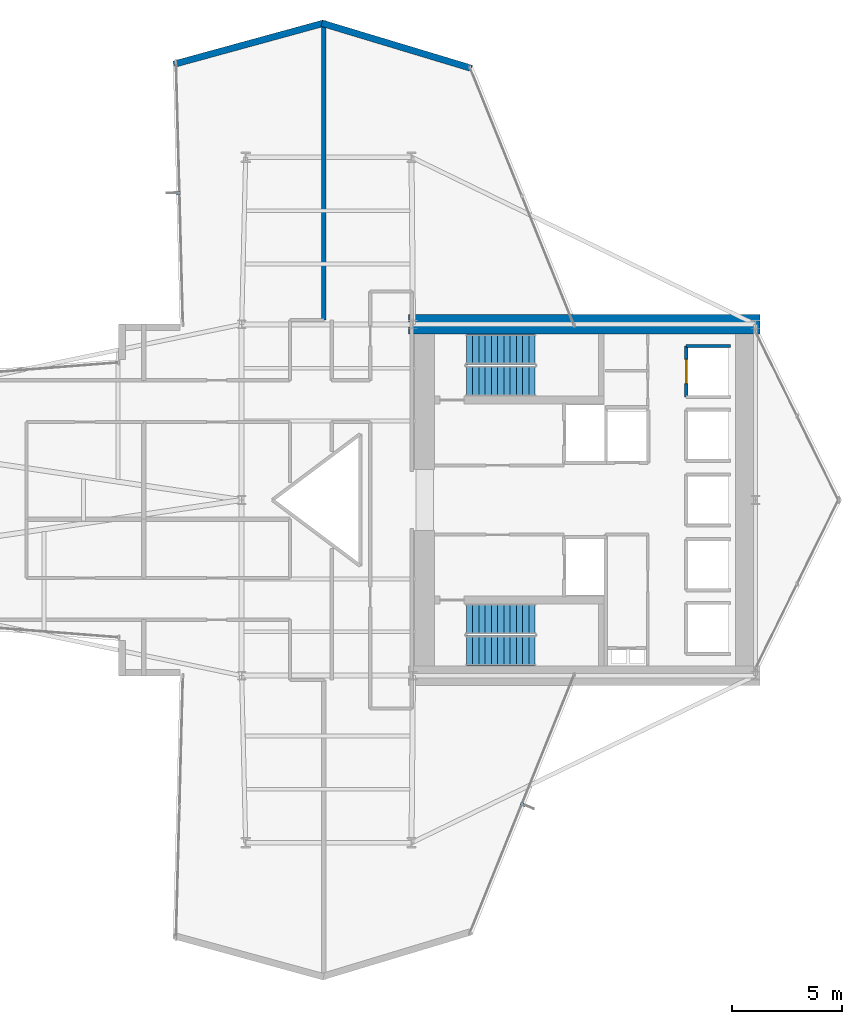
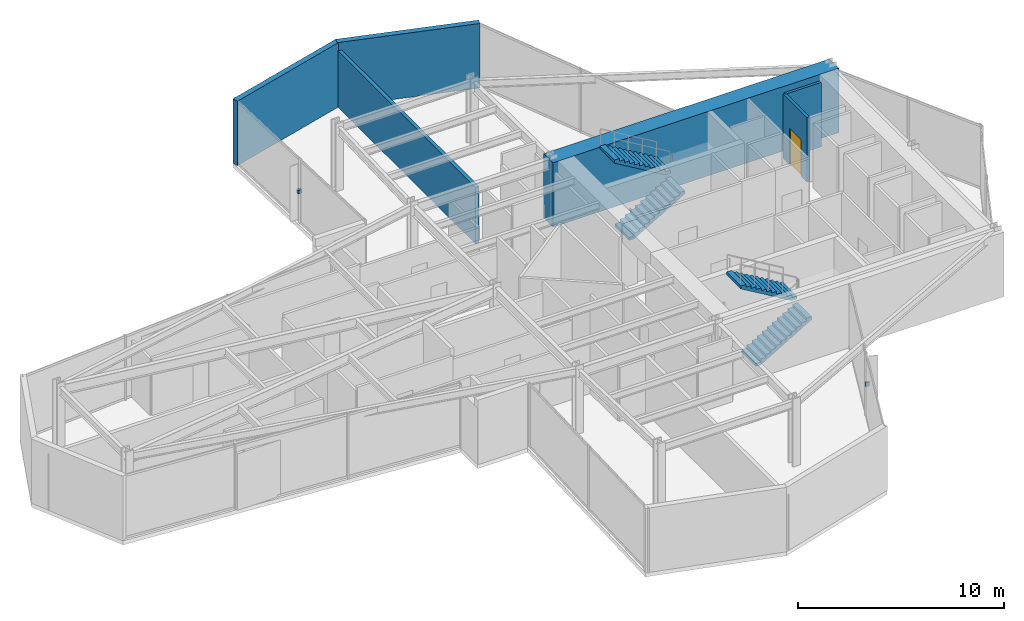
# One storey, part 28 of 29: 6 walls, 4 stair flights, 2 discrete accessories, 1 door, 1 opening, 2 elements without a shape of their own.
"""IFC4 building model written with IfcOpenShell, lengths in metres."""

from ifc_helpers import new_model, si_unit, direction, frame, frame_2d, origin, origin_2d, place, context, subcontext, project, spatial, polyline, rectangle, outline, extrude, material, layer, layer_set, type_object, element, fill, aggregate, save


model = new_model("IFC4")

# Units and contexts
model_context = context("Model", 3, precision=1e-05, world=origin(), true_north=direction((0.0, 1.0)))
body_context = subcontext(model_context, "Body", "Model", "MODEL_VIEW")
ifc_project = project(units=[si_unit("LENGTHUNIT", "METRE"), si_unit("AREAUNIT", "SQUARE_METRE"), si_unit("VOLUMEUNIT", "CUBIC_METRE"), si_unit("PLANEANGLEUNIT", "RADIAN"), si_unit("MASSUNIT", "GRAM", prefix="KILO")], contexts=[model_context])

# Site, building, storey
site_placement = place(None, origin())
site = spatial("IfcSite", under=ifc_project, at=site_placement, CompositionType="ELEMENT")
building_placement = place(site_placement, origin())
building = spatial("IfcBuilding", under=site, at=building_placement, Name="Veymaron Broadcast Tower", CompositionType="ELEMENT")
storey_placement = place(building_placement, frame((0.0, 0.0, 62.10009765625)))
storey = spatial("IfcBuildingStorey", under=building, at=storey_placement, Name="L13", CompositionType="ELEMENT", Elevation=62.10009765625)

# Walls
ifc_material_1 = material(Name="Concrete C40/50", Category="concrete")
ifc_layer_1 = layer(ifc_material_1, 0.199951171875)
ifc_layer_set_1 = layer_set([ifc_layer_1], Name="Concrete C40/50")
wall_type_1 = type_object("IfcWallType", Name="WALL-BLK-200", PredefinedType="SOLIDWALL", material=ifc_layer_set_1)
wall_1_placement = place(storey_placement, frame((34.94091796875, 32.199951171875, 0.0), z_axis=(0.0, 0.0, 1.0), x_axis=(0.0, 1.0, 0.0)))
element("IfcWall", 1, at=wall_1_placement, inside=storey, type_object=wall_type_1, Name="L13 partition IW-L13-P42", PredefinedType="SOLIDWALL", context=body_context, shape_type="SweptSolid", body=[
    extrude(rectangle(XDim=13.635986328125, YDim=0.199951171875, at=frame_2d((6.81787109375, 0.0))), origin(), (0.0, 0.0, 1.0), 3.337890625),
])
ifc_material_2 = material(Name="Precast concrete C40/50 with mineral-wool insulation", Category="concrete")
ifc_layer_2 = layer(ifc_material_2, 0.300048828125)
ifc_layer_set_2 = layer_set([ifc_layer_2], Name="Precast concrete C40/50 with mineral-wool insulation")
wall_type_2 = type_object("IfcWallType", Name="WALL-EXT-300", PredefinedType="STANDARD", material=ifc_layer_set_2)
wall_2_placement = place(storey_placement, frame((41.669921875, 43.659912109375, 0.0), z_axis=(0.0, 0.0, 1.0), x_axis=(-0.957387451844, 0.288806625707, 0.0)))
element("IfcWall", 2, at=wall_2_placement, inside=storey, type_object=wall_type_2, Name="L13 notched corner facade pier 6-1", PredefinedType="STANDARD", context=body_context, shape_type="SweptSolid", body=[
    extrude(rectangle(XDim=7.122802734375, YDim=0.300048828125, at=frame_2d((3.5615234375, 0.0))), origin(), (0.0, 0.0, 1.0), 3.809814453125),
])
wall_3_placement = place(storey_placement, frame((34.927978515625, 45.716064453125, 0.0), z_axis=(0.0, 0.0, 1.0), x_axis=(-0.96439075506, -0.264481514581, 0.0)))
element("IfcWall", 3, at=wall_3_placement, inside=storey, type_object=wall_type_2, Name="L13 notched corner facade pier 7-1", PredefinedType="STANDARD", context=body_context, shape_type="SweptSolid", body=[
    extrude(rectangle(XDim=7.07080078125, YDim=0.300048828125, at=frame_2d((3.535400390625, 0.0))), origin(), (0.0, 0.0, 1.0), 3.809814453125),
])

# Wall, opening, door
ifc_material_3 = material(Name="Gypsum fireboard and steel stud framing", Category="steel")
ifc_layer_3 = layer(ifc_material_3, 0.14990234375)
ifc_layer_set_3 = layer_set([ifc_layer_3], Name="Gypsum fireboard and steel stud framing")
wall_type_3 = type_object("IfcWallType", Name="WALL-FIRE-150", PredefinedType="PARTITIONING", material=ifc_layer_set_3)
wall_4_placement = place(storey_placement, frame((51.445068359375, 28.68994140625, 0.0), z_axis=(0.0, 0.0, 1.0), x_axis=(0.0, 1.0, 0.0)))
wall_4 = element("IfcWall", 4, at=wall_4_placement, inside=storey, type_object=wall_type_3, Name="L13 partition IW-L13-SHW-PL1", PredefinedType="PARTITIONING", context=body_context, shape_type="SweptSolid", body=[
    extrude(rectangle(XDim=2.320068359375, YDim=0.14990234375, at=frame_2d((1.16015625, 0.0))), origin(), (0.0, 0.0, 1.0), 3.809814453125),
])
opening_placement = place(wall_4_placement, frame((0.610107421875, 0.0, 0.0)))
opening = element("IfcOpeningElement", 5, at=opening_placement, cuts=wall_4, Name="Opening LD", PredefinedType="OPENING", context=body_context, shape_type="SweptSolid", body=[
    extrude(rectangle(XDim=1.10009765625, YDim=2.14990234375, at=frame_2d((0.550048828125, 1.074951171875))), frame((0.0, 0.0849609375, 0.0), z_axis=(0.0, -1.0, 0.0), x_axis=(1.0, 0.0, 0.0)), (0.0, 0.0, 1.0), 0.169921875),
])
ifc_material_4 = material(Name="Brushed stainless steel AISI 304", Category="steel")
door_type = type_object("IfcDoorType", Name="DOOR-LIFT-1100", OperationType="DOUBLE_DOOR_SLIDING", PredefinedType="DOOR", material=ifc_material_4)
door_placement = place(opening_placement, frame((1.10009765625, 0.0, 0.0), z_axis=(0.0, 0.0, 1.0), x_axis=(-1.0, 0.0, 0.0)))
door = element("IfcDoor", 6, at=door_placement, inside=storey, type_object=door_type, Name="L13 door LD-L13-PL1", OperationType="DOUBLE_DOOR_SLIDING", OverallHeight=2.14990234375, OverallWidth=1.10009765625, PredefinedType="DOOR", context=body_context, shape_type="SweptSolid", body=[
    extrude(rectangle(XDim=1.10009765625, YDim=2.14990234375, at=frame_2d((0.550048828125, 1.074951171875))), frame((0.0, 0.02490234375, 0.0), z_axis=(0.0, -1.0, 0.0), x_axis=(1.0, 0.0, 0.0)), (0.0, 0.0, 1.0), 0.050048828125),
])
fill(opening, door)

# Walls
wall_5_placement = place(storey_placement, frame((51.445068359375, 31.010009765625, 0.0), z_axis=(0.0, 0.0, 1.0), x_axis=(1.0, 0.0, 0.0)))
element("IfcWall", 7, at=wall_5_placement, inside=storey, type_object=wall_type_3, Name="L13 partition IW-L13-SHN-PL1", PredefinedType="PARTITIONING", context=body_context, shape_type="SweptSolid", body=[
    extrude(rectangle(XDim=2.014892578125, YDim=0.14990234375, at=frame_2d((1.00732421875, 0.0))), origin(), (0.0, 0.0, 1.0), 3.809814453125),
])
ifc_material_5 = material(Name="Concrete C70/85", Category="concrete")
ifc_layer_4 = layer(ifc_material_5, 0.89990234375)
ifc_layer_set_4 = layer_set([ifc_layer_4], Name="Concrete C70/85")
wall_type_4 = type_object("IfcWallType", Name="WALL-SHEAR-900", PredefinedType="SHEAR", material=ifc_layer_set_4)
wall_6_placement = place(storey_placement, frame((38.800048828125, 32.0, 0.0), z_axis=(0.0, 0.0, 1.0), x_axis=(1.0, 0.0, 0.0)))
element("IfcWall", 8, at=wall_6_placement, inside=storey, type_object=wall_type_4, Name="L13 Core Wall north shear", PredefinedType="SHEAR", context=body_context, shape_type="SweptSolid", body=[
    extrude(rectangle(XDim=16.0, YDim=0.89990234375, at=frame_2d((8.0, 0.0))), origin(), (0.0, 0.0, 1.0), 3.809814453125),
])

# Stair, stair flights
ifc_material_6 = material(Name="Concrete C50/60", Category="concrete")
stair_type_1 = type_object("IfcStairType", Name="STAIR-CORE-1", PredefinedType="HALF_TURN_STAIR", material=ifc_material_6)
stair_1_placement = place(storey_placement, origin())
stair_1 = element("IfcStair", 9, at=stair_1_placement, inside=storey, type_object=stair_type_1, Name="L13 North protected dog-leg exit stair ST1", PredefinedType="HALF_TURN_STAIR")
ifc_material_7 = material(Name="Precast concrete C50/60", Category="concrete")
stair_flight_type = type_object("IfcStairFlightType", Name="FLT-CORE-RC", PredefinedType="STRAIGHT", material=ifc_material_7)
stair_flight_1_placement = place(storey_placement, frame((41.429931640625, 29.419921875, 0.0), z_axis=(0.0, 0.0, 1.0), x_axis=(1.0, 0.0, 0.0)))
stair_flight_1 = element("IfcStairFlight", 10, at=stair_flight_1_placement, type_object=stair_flight_type, Name="ST1 flight 1", NumberOfRisers=12, NumberOfTreads=11, PredefinedType="STRAIGHT", RiserHeight=0.16875, TreadLength=0.285, context=body_context, shape_type="SweptSolid", body=[
    extrude(outline(polyline([(0.0, 0.0), (0.0, 0.168701171875), (0.284912109375, 0.168701171875), (0.284912109375, 0.33740234375), (0.570068359375, 0.33740234375), (0.570068359375, 0.50634765625), (0.85498046875, 0.50634765625), (0.85498046875, 0.675048828125), (1.139892578125, 0.675048828125), (1.139892578125, 0.84375), (1.425048828125, 0.84375), (1.425048828125, 1.012451171875), (1.7099609375, 1.012451171875), (1.7099609375, 1.18115234375), (1.9951171875, 1.18115234375), (1.9951171875, 1.35009765625), (2.280029296875, 1.35009765625), (2.280029296875, 1.518798828125), (2.56494140625, 1.518798828125), (2.56494140625, 1.6875), (2.85009765625, 1.6875), (2.85009765625, 1.856201171875), (3.135009765625, 1.856201171875), (3.135009765625, 2.02490234375), (3.135009765625, 1.68212890625), (0.294189453125, 0.0), (0.0, 0.0)])), frame((0.0, 0.68994140625, 0.0), z_axis=(0.0, -1.0, 0.0), x_axis=(1.0, 0.0, 0.0)), (0.0, 0.0, 1.0), 1.3798828125),
])
stair_flight_2_placement = place(storey_placement, frame((44.56494140625, 30.860107421875, 2.02490234375), z_axis=(0.0, 0.0, 1.0), x_axis=(-1.0, 0.0, 0.0)))
stair_flight_2 = element("IfcStairFlight", 11, at=stair_flight_2_placement, type_object=stair_flight_type, Name="ST1 flight 2", NumberOfRisers=12, NumberOfTreads=11, PredefinedType="STRAIGHT", RiserHeight=0.16875, TreadLength=0.285, context=body_context, shape_type="SweptSolid", body=[
    extrude(outline(polyline([(0.0, 0.0), (0.0, 0.168701171875), (0.284912109375, 0.168701171875), (0.284912109375, 0.33740234375), (0.570068359375, 0.33740234375), (0.570068359375, 0.50634765625), (0.85498046875, 0.50634765625), (0.85498046875, 0.675048828125), (1.139892578125, 0.675048828125), (1.139892578125, 0.84375), (1.425048828125, 0.84375), (1.425048828125, 1.012451171875), (1.7099609375, 1.012451171875), (1.7099609375, 1.18115234375), (1.9951171875, 1.18115234375), (1.9951171875, 1.35009765625), (2.280029296875, 1.35009765625), (2.280029296875, 1.518798828125), (2.56494140625, 1.518798828125), (2.56494140625, 1.6875), (2.85009765625, 1.6875), (2.85009765625, 1.856201171875), (3.135009765625, 1.856201171875), (3.135009765625, 2.02490234375), (3.135009765625, 1.68212890625), (0.294189453125, 0.0), (0.0, 0.0)])), frame((0.0, 0.68994140625, 0.0), z_axis=(0.0, -1.0, 0.0), x_axis=(1.0, 0.0, 0.0)), (0.0, 0.0, 1.0), 1.3798828125),
])
aggregate(stair_1, [stair_flight_1, stair_flight_2])

stair_type_2 = type_object("IfcStairType", Name="STAIR-CORE-2", PredefinedType="HALF_TURN_STAIR", material=ifc_material_6)
stair_2_placement = place(storey_placement, origin())
stair_2 = element("IfcStair", 12, at=stair_2_placement, inside=storey, type_object=stair_type_2, Name="L13 South protected dog-leg exit stair ST2", PredefinedType="HALF_TURN_STAIR")
stair_flight_3_placement = place(storey_placement, frame((41.429931640625, 17.139892578125, 0.0), z_axis=(0.0, 0.0, 1.0), x_axis=(1.0, 0.0, 0.0)))
stair_flight_3 = element("IfcStairFlight", 13, at=stair_flight_3_placement, type_object=stair_flight_type, Name="ST2 flight 1", NumberOfRisers=12, NumberOfTreads=11, PredefinedType="STRAIGHT", RiserHeight=0.16875, TreadLength=0.285, context=body_context, shape_type="SweptSolid", body=[
    extrude(outline(polyline([(0.0, 0.0), (0.0, 0.168701171875), (0.284912109375, 0.168701171875), (0.284912109375, 0.33740234375), (0.570068359375, 0.33740234375), (0.570068359375, 0.50634765625), (0.85498046875, 0.50634765625), (0.85498046875, 0.675048828125), (1.139892578125, 0.675048828125), (1.139892578125, 0.84375), (1.425048828125, 0.84375), (1.425048828125, 1.012451171875), (1.7099609375, 1.012451171875), (1.7099609375, 1.18115234375), (1.9951171875, 1.18115234375), (1.9951171875, 1.35009765625), (2.280029296875, 1.35009765625), (2.280029296875, 1.518798828125), (2.56494140625, 1.518798828125), (2.56494140625, 1.6875), (2.85009765625, 1.6875), (2.85009765625, 1.856201171875), (3.135009765625, 1.856201171875), (3.135009765625, 2.02490234375), (3.135009765625, 1.68212890625), (0.294189453125, 0.0), (0.0, 0.0)])), frame((0.0, 0.68994140625, 0.0), z_axis=(0.0, -1.0, 0.0), x_axis=(1.0, 0.0, 0.0)), (0.0, 0.0, 1.0), 1.3798828125),
])
stair_flight_4_placement = place(storey_placement, frame((44.56494140625, 18.580078125, 2.02490234375), z_axis=(0.0, 0.0, 1.0), x_axis=(-1.0, 0.0, 0.0)))
stair_flight_4 = element("IfcStairFlight", 14, at=stair_flight_4_placement, type_object=stair_flight_type, Name="ST2 flight 2", NumberOfRisers=12, NumberOfTreads=11, PredefinedType="STRAIGHT", RiserHeight=0.16875, TreadLength=0.285, context=body_context, shape_type="SweptSolid", body=[
    extrude(outline(polyline([(0.0, 0.0), (0.0, 0.168701171875), (0.284912109375, 0.168701171875), (0.284912109375, 0.33740234375), (0.570068359375, 0.33740234375), (0.570068359375, 0.50634765625), (0.85498046875, 0.50634765625), (0.85498046875, 0.675048828125), (1.139892578125, 0.675048828125), (1.139892578125, 0.84375), (1.425048828125, 0.84375), (1.425048828125, 1.012451171875), (1.7099609375, 1.012451171875), (1.7099609375, 1.18115234375), (1.9951171875, 1.18115234375), (1.9951171875, 1.35009765625), (2.280029296875, 1.35009765625), (2.280029296875, 1.518798828125), (2.56494140625, 1.518798828125), (2.56494140625, 1.6875), (2.85009765625, 1.6875), (2.85009765625, 1.856201171875), (3.135009765625, 1.856201171875), (3.135009765625, 2.02490234375), (3.135009765625, 1.68212890625), (0.294189453125, 0.0), (0.0, 0.0)])), frame((0.0, 0.68994140625, 0.0), z_axis=(0.0, -1.0, 0.0), x_axis=(1.0, 0.0, 0.0)), (0.0, 0.0, 1.0), 1.3798828125),
])
aggregate(stair_2, [stair_flight_3, stair_flight_4])

# Discrete accessories
ifc_material_8 = material(Name="Austenitic stainless steel AISI 316L", Category="steel")
ifc_layer_5 = layer(ifc_material_8, 0.1201171875)
ifc_layer_set_5 = layer_set([ifc_layer_5], Name="Austenitic stainless steel AISI 316L")
discrete_accessory_type = type_object("IfcDiscreteAccessoryType", Name="ACC-BRKT-SS1", PredefinedType="BRACKET", material=ifc_layer_set_5)
for number, where, z_axis, x_axis, name in (
    (15, (28.309326171875, 37.99267578125, 1.794921875), (0.0, 0.0, 1.0), (-0.999654119397, -0.026299079294, 0.0), "CW-L13-E8-1 fin bracket 1"),
    (16, (44.019287109375, 10.133056640625, 1.794921875), (0.0, 0.0, 1.0), (0.927144620772, -0.374703685828, 0.0), "CW-L13-E20-1 fin bracket 1"),
):
    element("IfcDiscreteAccessory", number, at=place(storey_placement, frame(where, z_axis=z_axis, x_axis=x_axis)), inside=storey, type_object=discrete_accessory_type, Name=name, PredefinedType="BRACKET", context=body_context, shape_type="SweptSolid", body=[
        extrude(rectangle(XDim=0.219970703125, YDim=0.139892578125, at=origin_2d()), origin(), (0.0, 0.0, 1.0), 0.219970703125),
    ])

save(model, "model.ifc")
